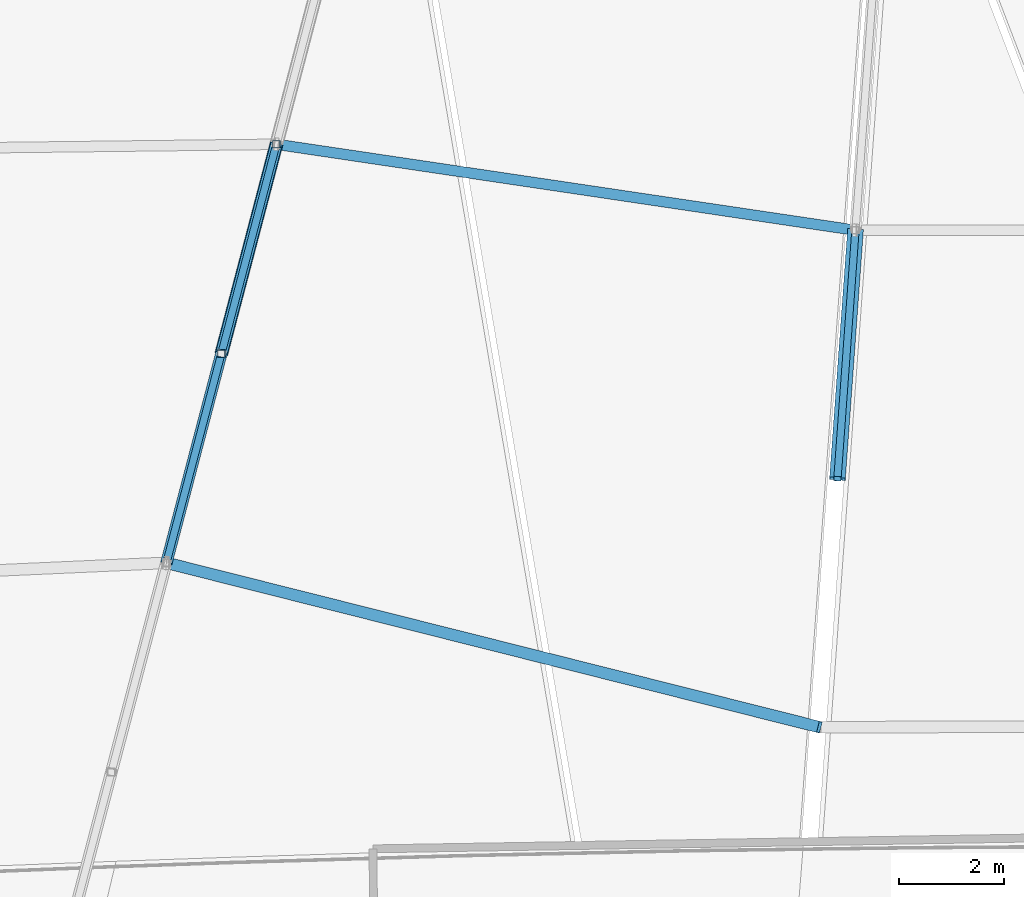
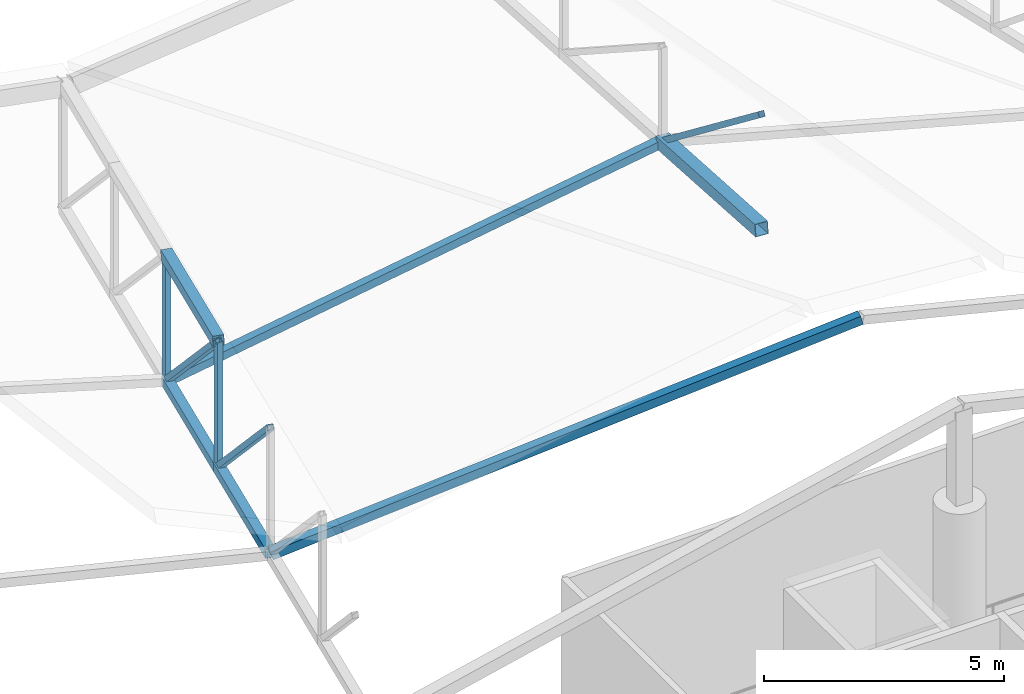
# One storey, part 32 of 344: 11 members.
"""IFC4 building model written with IfcOpenShell, lengths in metres."""

from ifc_helpers import new_model, si_unit, direction, frame, origin, origin_2d, place, context, subcontext, project, spatial, hollow_rectangle, extrude, material, material_profile, profile_set, type_object, element, save


model = new_model("IFC4")

# Units and contexts
model_context = context("Model", 3, precision=1e-05, world=origin(), true_north=direction((0.0, 1.0)))
body_context = subcontext(model_context, "Body", "Model", "MODEL_VIEW")
ifc_project = project(units=[si_unit("LENGTHUNIT", "METRE"), si_unit("AREAUNIT", "SQUARE_METRE"), si_unit("VOLUMEUNIT", "CUBIC_METRE"), si_unit("PLANEANGLEUNIT", "RADIAN"), si_unit("MASSUNIT", "GRAM", prefix="KILO")], contexts=[model_context])

# Site, building, storey
site_placement = place(None, origin())
site = spatial("IfcSite", under=ifc_project, at=site_placement, CompositionType="ELEMENT")
building_placement = place(site_placement, origin())
building = spatial("IfcBuilding", under=site, at=building_placement, Name="Meseta Stadium", CompositionType="ELEMENT")
storey_placement = place(building_placement, frame((0.0, 0.0, 24.0)))
storey = spatial("IfcBuildingStorey", under=building, at=storey_placement, Name="L04", CompositionType="ELEMENT", Elevation=24.0)

# Members
ifc_material_1 = material(Name="Steel S355", Category="steel")
ifc_material_profile_1 = material_profile(ifc_material_1, hollow_rectangle(XDim=0.139892578125, YDim=0.139892578125, WallThickness=0.0048828125, at=origin_2d()), Name="SHS 140x140x5")
ifc_profile_set_1 = profile_set([ifc_material_profile_1], Name="Steel S355")
member_type_1 = type_object("IfcMemberType", Name="SHS 140x140x5 diagonal", PredefinedType="BRACE", material=ifc_profile_set_1)
for number, where, z_axis, x_axis, name in (
    (1, (-16.476318359375, -73.776611328125, 2.95263671875), (-0.18709073138, -0.711978091031, 0.676819219676), (0.967165386929, -0.254147819836, 0.0), "ROOF TRUSS RT-45 diagonal"),
    (2, (-17.51953125, -77.74658203125, 3.5263671875), (-0.187132982676, -0.711972258141, 0.676813674826), (0.967150765776, -0.254203454457, 0.0), "ROOF TRUSS RT-45 diagonal"),
):
    element("IfcMember", number, at=place(storey_placement, frame(where, z_axis=z_axis, x_axis=x_axis)), inside=storey, type_object=member_type_1, Name=name, PredefinedType="BRACE", context=body_context, shape_type="SweptSolid", body=[
        extrude(hollow_rectangle(XDim=0.139892578125, YDim=0.139892578125, WallThickness=0.0048828125, at=origin_2d()), origin(), (0.0, 0.0, 1.0), 5.575927734375),
    ])
member_1_placement = place(storey_placement, frame((-5.49169921875, -75.4072265625, 6.179443359375), z_axis=(-0.057211819337, -0.788910123077, 0.611839542228), x_axis=(0.997380746332, -0.072330124054, 0.0)))
element("IfcMember", 3, at=member_1_placement, inside=storey, type_object=member_type_1, Name="ROOF TRUSS RT-46 diagonal", PredefinedType="BRACE", context=body_context, shape_type="SweptSolid", body=[
    extrude(hollow_rectangle(XDim=0.139892578125, YDim=0.139892578125, WallThickness=0.0048828125, at=origin_2d()), origin(), (0.0, 0.0, 1.0), 5.97412109375),
])
ifc_material_2 = material(Name="Steel S355", Category="steel")
ifc_material_profile_2 = material_profile(ifc_material_2, hollow_rectangle(XDim=0.139892578125, YDim=0.139892578125, WallThickness=0.0048828125, at=origin_2d()), Name="SHS 140x140x5")
ifc_profile_set_2 = profile_set([ifc_material_profile_2], Name="Steel S355")
member_type_2 = type_object("IfcMemberType", Name="SHS 140x140x5 post", PredefinedType="POST", material=ifc_profile_set_2)
for number, where, z_axis, x_axis, name in (
    (4, (-16.476318359375, -73.776611328125, 2.95263671875), (0.0, 0.0, 1.0), (1.0, 0.0, 0.0), "ROOF TRUSS RT-45 post"),
    (5, (-17.51953125, -77.74658203125, 3.5263671875), (0.0, 0.0, 1.0), (1.0, 0.0, 0.0), "ROOF TRUSS RT-45 post"),
):
    element("IfcMember", number, at=place(storey_placement, frame(where, z_axis=z_axis, x_axis=x_axis)), inside=storey, type_object=member_type_2, Name=name, PredefinedType="POST", context=body_context, shape_type="SweptSolid", body=[
        extrude(hollow_rectangle(XDim=0.139892578125, YDim=0.139892578125, WallThickness=0.0048828125, at=origin_2d()), origin(), (0.0, 0.0, 1.0), 3.2001953125),
    ])
ifc_material_3 = material(Name="Steel S355", Category="steel")
ifc_material_profile_3 = material_profile(ifc_material_3, hollow_rectangle(XDim=0.199951171875, YDim=0.199951171875, WallThickness=0.008056640625, at=origin_2d()), Name="SHS 200x200x8")
ifc_profile_set_3 = profile_set([ifc_material_profile_3], Name="Steel S355")
member_type_3 = type_object("IfcMemberType", Name="SHS 200x200x8 strut", PredefinedType="STRUT", material=ifc_profile_set_3)
member_2_placement = place(storey_placement, frame((-16.476318359375, -73.776611328125, 2.95263671875), z_axis=(0.94987320608, -0.141004226066, 0.279031719707), x_axis=(0.146836286524, 0.989160808443, 0.0)))
element("IfcMember", 6, at=member_2_placement, inside=storey, type_object=member_type_3, Name="ROOF TRUSS STRUT RT-45/46", PredefinedType="STRUT", context=body_context, shape_type="SweptSolid", body=[
    extrude(hollow_rectangle(XDim=0.199951171875, YDim=0.199951171875, WallThickness=0.008056640625, at=origin_2d()), origin(), (0.0, 0.0, 1.0), 11.564208984375),
])
ifc_material_4 = material(Name="Steel S355", Category="steel")
ifc_material_profile_4 = material_profile(ifc_material_4, hollow_rectangle(XDim=0.219970703125, YDim=0.219970703125, WallThickness=0.008056640625, at=origin_2d()), Name="SHS 220x220x8")
ifc_profile_set_4 = profile_set([ifc_material_profile_4], Name="Steel S355")
member_type_4 = type_object("IfcMemberType", Name="SHS 220x220x8 bottom chord", PredefinedType="CHORD", material=ifc_profile_set_4)
member_3_placement = place(storey_placement, frame((-16.476318359375, -73.776611328125, 2.95263671875), z_axis=(-0.251701056282, -0.957854171823, 0.138426745205), x_axis=(0.967165386929, -0.254147819836, 0.0)))
element("IfcMember", 7, at=member_3_placement, inside=storey, type_object=member_type_4, Name="ROOF TRUSS RT-45 bottom chord", PredefinedType="CHORD", context=body_context, shape_type="SweptSolid", body=[
    extrude(hollow_rectangle(XDim=0.219970703125, YDim=0.219970703125, WallThickness=0.008056640625, at=origin_2d()), origin(), (0.0, 0.0, 1.0), 4.14453125),
])
member_4_placement = place(storey_placement, frame((-17.51953125, -77.74658203125, 3.5263671875), z_axis=(-0.251754175042, -0.957832157312, 0.138482467366), x_axis=(0.967150765776, -0.254203454457, 0.0)))
element("IfcMember", 8, at=member_4_placement, inside=storey, type_object=member_type_4, Name="ROOF TRUSS RT-45 bottom chord", PredefinedType="CHORD", context=body_context, shape_type="SweptSolid", body=[
    extrude(hollow_rectangle(XDim=0.219970703125, YDim=0.219970703125, WallThickness=0.008056640625, at=origin_2d()), origin(), (0.0, 0.0, 1.0), 4.144775390625),
])
ifc_material_5 = material(Name="Steel S355", Category="steel")
ifc_material_profile_5 = material_profile(ifc_material_5, hollow_rectangle(XDim=0.219970703125, YDim=0.219970703125, WallThickness=0.008056640625, at=origin_2d()), Name="SHS 220x220x8")
ifc_profile_set_5 = profile_set([ifc_material_profile_5], Name="Steel S355")
member_type_5 = type_object("IfcMemberType", Name="SHS 220x220x8 strut", PredefinedType="STRUT", material=ifc_profile_set_5)
member_5_placement = place(storey_placement, frame((-18.56298828125, -81.716552734375, 4.100341796875), z_axis=(0.934475047731, -0.235128950224, 0.267340161468), x_axis=(0.244010386636, 0.969772618305, 0.0)))
element("IfcMember", 9, at=member_5_placement, inside=storey, type_object=member_type_5, Name="ROOF TRUSS STRUT RT-45/46", PredefinedType="STRUT", context=body_context, shape_type="SweptSolid", body=[
    extrude(hollow_rectangle(XDim=0.219970703125, YDim=0.219970703125, WallThickness=0.008056640625, at=origin_2d()), origin(), (0.0, 0.0, 1.0), 13.25634765625),
])
ifc_material_6 = material(Name="Steel S355", Category="steel")
ifc_material_profile_6 = material_profile(ifc_material_6, hollow_rectangle(XDim=0.25, YDim=0.25, WallThickness=0.010009765625, at=origin_2d()), Name="SHS 250x250x10")
ifc_profile_set_6 = profile_set([ifc_material_profile_6], Name="Steel S355")
member_type_6 = type_object("IfcMemberType", Name="SHS 250x250x10 top chord", PredefinedType="CHORD", material=ifc_profile_set_6)
member_6_placement = place(storey_placement, frame((-16.476318359375, -73.776611328125, 6.15283203125), z_axis=(-0.251701056282, -0.957854171823, 0.138426745205), x_axis=(0.967165386929, -0.254147819836, 0.0)))
element("IfcMember", 10, at=member_6_placement, inside=storey, type_object=member_type_6, Name="ROOF TRUSS RT-45 top chord", PredefinedType="CHORD", context=body_context, shape_type="SweptSolid", body=[
    extrude(hollow_rectangle(XDim=0.25, YDim=0.25, WallThickness=0.010009765625, at=origin_2d()), origin(), (0.0, 0.0, 1.0), 4.14453125),
])
ifc_material_7 = material(Name="Steel S355", Category="steel")
ifc_material_profile_7 = material_profile(ifc_material_7, hollow_rectangle(XDim=0.300048828125, YDim=0.300048828125, WallThickness=0.010009765625, at=origin_2d()), Name="SHS 300x300x10")
ifc_profile_set_7 = profile_set([ifc_material_profile_7], Name="Steel S355")
member_type_7 = type_object("IfcMemberType", Name="SHS 300x300x10 bottom chord", PredefinedType="CHORD", material=ifc_profile_set_7)
member_7_placement = place(storey_placement, frame((-5.49169921875, -75.4072265625, 6.179443359375), z_axis=(-0.071476681718, -0.98561238612, 0.153164317967), x_axis=(0.997380746332, -0.072330124054, 0.0)))
element("IfcMember", 11, at=member_7_placement, inside=storey, type_object=member_type_7, Name="ROOF TRUSS RT-46 bottom chord", PredefinedType="CHORD", context=body_context, shape_type="SweptSolid", body=[
    extrude(hollow_rectangle(XDim=0.300048828125, YDim=0.300048828125, WallThickness=0.010009765625, at=origin_2d()), origin(), (0.0, 0.0, 1.0), 4.781982421875),
])

save(model, "model.ifc")
